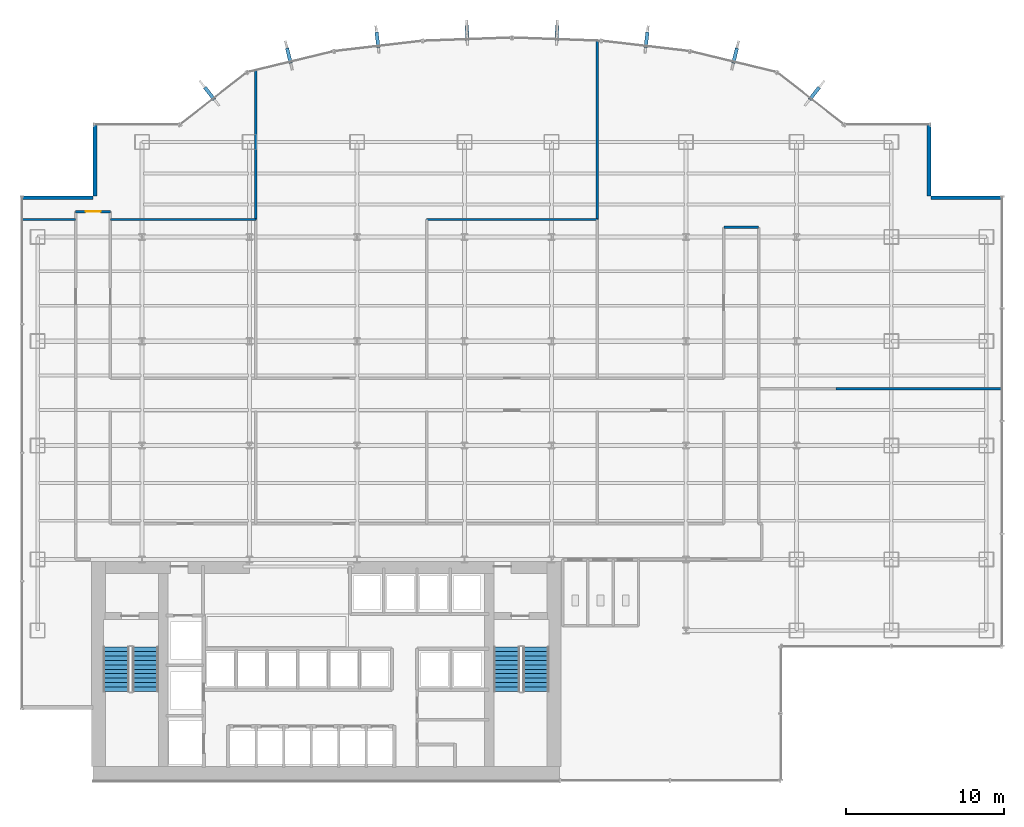
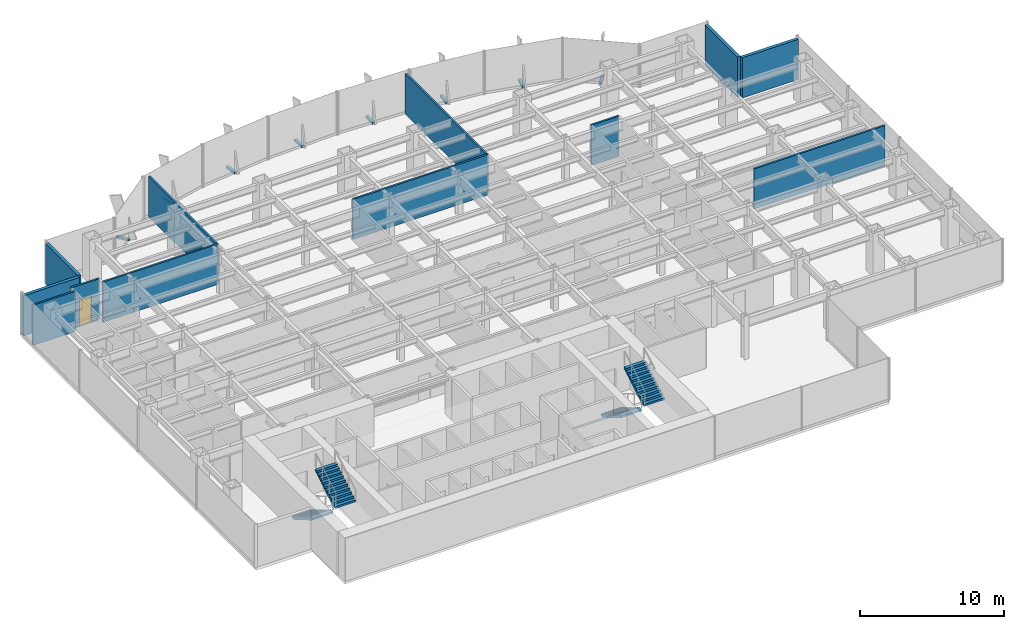
# One storey, part 19 of 22: 12 walls, 8 discrete accessories, 4 stair flights, 1 door, 1 opening, 2 elements without a shape of their own.
"""IFC4 building model written with IfcOpenShell, lengths in metres."""

from ifc_helpers import new_model, si_unit, derived_unit, direction, frame, frame_2d, origin, origin_2d, place, context, subcontext, project, spatial, polyline, rectangle, outline, extrude, source, transform, mapped, material, layer, layer_set, type_object, element, fill, aggregate, save


model = new_model("IFC4")

# Units and contexts
model_context = context("Model", 3, precision=1e-05, world=origin(), true_north=direction((0.0, 1.0)))
body_context = subcontext(model_context, "Body", "Model", "MODEL_VIEW")
ifc_project = project(units=[si_unit("LENGTHUNIT", "METRE"), si_unit("AREAUNIT", "SQUARE_METRE"), si_unit("VOLUMEUNIT", "CUBIC_METRE"), si_unit("PLANEANGLEUNIT", "RADIAN"), si_unit("MASSUNIT", "GRAM", prefix="KILO"), derived_unit("THERMALTRANSMITTANCEUNIT", [(si_unit("POWERUNIT", "WATT"), 1), (si_unit("LENGTHUNIT", "METRE"), -2), (si_unit("THERMODYNAMICTEMPERATUREUNIT", "KELVIN"), -1)])], contexts=[model_context])

# Site, building, storey
site_placement = place(None, origin())
site = spatial("IfcSite", under=ifc_project, at=site_placement, CompositionType="ELEMENT")
building_placement = place(site_placement, origin())
building = spatial("IfcBuilding", under=site, at=building_placement, Name="Skarnbrae Concourse Arena and Tower", CompositionType="ELEMENT")
storey_placement = place(building_placement, frame((0.0, 0.0, 32.5)))
storey = spatial("IfcBuildingStorey", under=building, at=storey_placement, Name="L06", CompositionType="ELEMENT", Elevation=32.5)

# Walls
ifc_material_1 = material(Name="Precast concrete 40 MPa (C40/50)", Category="concrete")
ifc_layer_1 = layer(ifc_material_1, 0.25)
ifc_layer_set_1 = layer_set([ifc_layer_1], Name="Precast concrete 40 MPa (C40/50)")
wall_type_1 = type_object("IfcWallType", Name="WALL-EXT-SPANDREL-250", PredefinedType="STANDARD", material=ifc_layer_set_1)
shared_shape_1 = source(origin(), body_context, "Body", "SweptSolid", [
    extrude(rectangle(XDim=4.5, YDim=0.25, at=frame_2d((2.25, 0.0))), origin(), (0.0, 0.0, 1.0), 3.39990234375),
])
for number, where, z_axis, x_axis, name in (
    (1, (62.0, 36.875, 0.0), (0.0, 0.0, 1.0), (-1.0, 0.0, 0.0), "L06 Notched corner insulated return wall 05"),
    (2, (57.375, 37.0, 0.0), (0.0, 0.0, 1.0), (0.0, 1.0, 0.0), "L06 Notched corner insulated return wall 06"),
    (3, (4.625, 41.5, 0.0), (0.0, 0.0, 1.0), (0.0, -1.0, 0.0), "L06 Notched corner insulated return wall 17"),
    (4, (4.5, 36.875, 0.0), (0.0, 0.0, 1.0), (-1.0, 0.0, 0.0), "L06 Notched corner insulated return wall 18"),
):
    element("IfcWall", number, at=place(storey_placement, frame(where, z_axis=z_axis, x_axis=x_axis)), inside=storey, type_object=wall_type_1, Name=name, PredefinedType="STANDARD", context=body_context, shape_type="MappedRepresentation", body=[
        mapped(shared_shape_1, transform((0.0, 0.0, 0.0))),
    ])

# Wall, opening, door
ifc_material_2 = material(Name="Gypsum board on cold-formed steel studs", Category="steel")
ifc_layer_2 = layer(ifc_material_2, 0.14990234375)
ifc_layer_set_2 = layer_set([ifc_layer_2], Name="Gypsum board on cold-formed steel studs")
wall_type_2 = type_object("IfcWallType", Name="WALL-PART-150-1HR", PredefinedType="PARTITIONING", material=ifc_layer_set_2)
shared_shape_2 = source(origin(), body_context, "Body", "SweptSolid", [
    extrude(rectangle(XDim=2.2001953125, YDim=0.14990234375, at=frame_2d((1.10009765625, 0.0))), origin(), (0.0, 0.0, 1.0), 3.39990234375),
])
wall_1_placement = place(storey_placement, frame((3.39990234375, 36.0, 0.0), z_axis=(0.0, 0.0, 1.0), x_axis=(1.0, 0.0, 0.0)))
wall_1 = element("IfcWall", 5, at=wall_1_placement, inside=storey, type_object=wall_type_2, Name="L06 Interior partition wall W-L06-COR-06", PredefinedType="PARTITIONING", context=body_context, shape_type="MappedRepresentation", body=[
    mapped(shared_shape_2, transform((0.0, 0.0, 0.0))),
])
opening_placement = place(wall_1_placement, frame((0.625, 0.0, 0.0)))
opening = element("IfcOpeningElement", 6, at=opening_placement, cuts=wall_1, Name="Opening DT-04", PredefinedType="OPENING", context=body_context, shape_type="SweptSolid", body=[
    extrude(rectangle(XDim=0.949951171875, YDim=2.14990234375, at=frame_2d((0.47509765625, 1.074951171875))), frame((0.0, 0.0849609375, 0.0), z_axis=(0.0, -1.0, 0.0), x_axis=(1.0, 0.0, 0.0)), (0.0, 0.0, 1.0), 0.169921875),
])
ifc_material_3 = material(Name="Steel CSA G40.21 350W", Category="steel")
door_type = type_object("IfcDoorType", Name="DOOR-INT-950-45M", OperationType="NOTDEFINED", PredefinedType="DOOR", material=ifc_material_3)
shared_shape_3 = source(origin(), body_context, "Body", "SweptSolid", [
    extrude(rectangle(XDim=0.949951171875, YDim=2.14990234375, at=frame_2d((0.47509765625, 1.074951171875))), frame((0.0, 0.02490234375, 0.0), z_axis=(0.0, -1.0, 0.0), x_axis=(1.0, 0.0, 0.0)), (0.0, 0.0, 1.0), 0.050048828125),
])
door_placement = place(opening_placement, origin())
door = element("IfcDoor", 7, at=door_placement, inside=storey, type_object=door_type, Name="D-0347 L06 Suite Door 02", OperationType="SINGLE_SWING_LEFT", OverallHeight=2.14990234375, OverallWidth=0.949951171875, PredefinedType="DOOR", context=body_context, shape_type="MappedRepresentation", body=[
    mapped(shared_shape_3, transform((0.0, 0.0, 0.0))),
])
fill(opening, door)

# Walls
wall_2_placement = place(storey_placement, frame((44.39990234375, 35.0, 0.0), z_axis=(0.0, 0.0, 1.0), x_axis=(1.0, 0.0, 0.0)))
element("IfcWall", 8, at=wall_2_placement, inside=storey, type_object=wall_type_2, Name="L06 Interior partition wall W-L06-COR-10", PredefinedType="PARTITIONING", context=body_context, shape_type="MappedRepresentation", body=[
    mapped(shared_shape_2, transform((0.0, 0.0, 0.0))),
])
ifc_layer_3 = layer(ifc_material_2, 0.14990234375)
ifc_layer_set_3 = layer_set([ifc_layer_3], Name="Gypsum board on cold-formed steel studs")
wall_type_3 = type_object("IfcWallType", Name="WALL-PART-150", PredefinedType="PARTITIONING", material=ifc_layer_set_3)
shared_shape_4 = source(origin(), body_context, "Body", "SweptSolid", [
    extrude(rectangle(XDim=3.3798828125, YDim=0.14990234375, at=frame_2d((1.68994140625, 0.0))), origin(), (0.0, 0.0, 1.0), 3.39990234375),
])
wall_3_placement = place(storey_placement, frame((0.02001953125, 35.5, 0.0), z_axis=(0.0, 0.0, 1.0), x_axis=(1.0, 0.0, 0.0)))
element("IfcWall", 9, at=wall_3_placement, inside=storey, type_object=wall_type_3, Name="L06 Interior partition wall W-L06-DEM-21", PredefinedType="PARTITIONING", context=body_context, shape_type="MappedRepresentation", body=[
    mapped(shared_shape_4, transform((0.0, 0.0, 0.0))),
])
shared_shape_5 = source(origin(), body_context, "Body", "SweptSolid", [
    extrude(rectangle(XDim=9.199951171875, YDim=0.14990234375, at=frame_2d((4.60009765625, 0.0))), origin(), (0.0, 0.0, 1.0), 3.39990234375),
])
wall_4_placement = place(storey_placement, frame((14.800048828125, 35.5, 0.0), z_axis=(0.0, 0.0, 1.0), x_axis=(-1.0, 0.0, 0.0)))
element("IfcWall", 10, at=wall_4_placement, inside=storey, type_object=wall_type_3, Name="L06 Interior partition wall W-L06-DEM-22", PredefinedType="PARTITIONING", context=body_context, shape_type="MappedRepresentation", body=[
    mapped(shared_shape_5, transform((0.0, 0.0, 0.0))),
])
shared_shape_6 = source(origin(), body_context, "Body", "SweptSolid", [
    extrude(rectangle(XDim=9.427978515625, YDim=0.14990234375, at=frame_2d((4.7138671875, 0.0))), origin(), (0.0, 0.0, 1.0), 3.39990234375),
])
wall_5_placement = place(storey_placement, frame((14.800048828125, 44.927978515625, 0.0), z_axis=(0.0, 0.0, 1.0), x_axis=(0.0, -1.0, 0.0)))
element("IfcWall", 11, at=wall_5_placement, inside=storey, type_object=wall_type_3, Name="L06 Interior partition wall W-L06-DEM-25", PredefinedType="PARTITIONING", context=body_context, shape_type="MappedRepresentation", body=[
    mapped(shared_shape_6, transform((0.0, 0.0, 0.0))),
])
shared_shape_7 = source(origin(), body_context, "Body", "SweptSolid", [
    extrude(rectangle(XDim=10.7998046875, YDim=0.14990234375, at=frame_2d((5.39990234375, 0.0))), origin(), (0.0, 0.0, 1.0), 3.39990234375),
])
wall_6_placement = place(storey_placement, frame((36.39990234375, 35.5, 0.0), z_axis=(0.0, 0.0, 1.0), x_axis=(-1.0, 0.0, 0.0)))
element("IfcWall", 12, at=wall_6_placement, inside=storey, type_object=wall_type_3, Name="L06 Interior partition wall W-L06-DEM-27", PredefinedType="PARTITIONING", context=body_context, shape_type="MappedRepresentation", body=[
    mapped(shared_shape_7, transform((0.0, 0.0, 0.0))),
])
shared_shape_8 = source(origin(), body_context, "Body", "SweptSolid", [
    extrude(rectangle(XDim=11.285888671875, YDim=0.14990234375, at=frame_2d((5.64306640625, 0.0))), origin(), (0.0, 0.0, 1.0), 3.39990234375),
])
wall_7_placement = place(storey_placement, frame((36.39990234375, 46.785888671875, 0.0), z_axis=(0.0, 0.0, 1.0), x_axis=(0.0, -1.0, 0.0)))
element("IfcWall", 13, at=wall_7_placement, inside=storey, type_object=wall_type_3, Name="L06 Interior partition wall W-L06-DEM-31", PredefinedType="PARTITIONING", context=body_context, shape_type="MappedRepresentation", body=[
    mapped(shared_shape_8, transform((0.0, 0.0, 0.0))),
])
shared_shape_9 = source(origin(), body_context, "Body", "SweptSolid", [
    extrude(rectangle(XDim=10.47998046875, YDim=0.14990234375, at=frame_2d((5.239990234375, 0.0))), origin(), (0.0, 0.0, 1.0), 3.39990234375),
])
wall_8_placement = place(storey_placement, frame((61.97998046875, 24.800048828125, 0.0), z_axis=(0.0, 0.0, 1.0), x_axis=(-1.0, 0.0, 0.0)))
element("IfcWall", 14, at=wall_8_placement, inside=storey, type_object=wall_type_3, Name="L06 Interior partition wall W-L06-DEM-32", PredefinedType="PARTITIONING", context=body_context, shape_type="MappedRepresentation", body=[
    mapped(shared_shape_9, transform((0.0, 0.0, 0.0))),
])

# Stair, stair flights
ifc_material_4 = material(Name="Concrete 40 MPa (C40/50)", Category="concrete")
stair_type = type_object("IfcStairType", Name="STAIR-DOGLEG-1650", PredefinedType="HALF_TURN_STAIR", material=ifc_material_4)
stair_1_placement = place(storey_placement, origin())
stair_1 = element("IfcStair", 15, at=stair_1_placement, inside=storey, type_object=stair_type, Name="L06 Protected Exit Stair ST-1", PredefinedType="HALF_TURN_STAIR")
stair_flight_type = type_object("IfcStairFlightType", Name="FLIGHT-STRAIGHT-1650", PredefinedType="STRAIGHT", material=ifc_material_4)
shared_shape_10 = source(origin(), body_context, "Body", "SweptSolid", [
    extrude(outline(polyline([(0.0, 0.0), (0.0, 0.166015625), (0.280029296875, 0.166015625), (0.280029296875, 0.331787109375), (0.56005859375, 0.331787109375), (0.56005859375, 0.497802734375), (0.840087890625, 0.497802734375), (0.840087890625, 0.66357421875), (1.1201171875, 0.66357421875), (1.1201171875, 0.82958984375), (1.39990234375, 0.82958984375), (1.39990234375, 0.995361328125), (1.679931640625, 0.995361328125), (1.679931640625, 1.161376953125), (1.9599609375, 1.161376953125), (1.9599609375, 1.327392578125), (2.239990234375, 1.327392578125), (2.239990234375, 1.4931640625), (2.52001953125, 1.4931640625), (2.52001953125, 1.6591796875), (2.800048828125, 1.6591796875), (2.800048828125, 1.824951171875), (2.800048828125, 1.48486328125), (0.2939453125, 0.0), (0.0, 0.0)])), frame((0.0, 0.824951171875, 0.0), z_axis=(0.0, -1.0, 0.0), x_axis=(1.0, 0.0, 0.0)), (0.0, 0.0, 1.0), 1.64990234375),
])
stair_flight_1_placement = place(storey_placement, frame((5.97509765625, 8.449951171875, 0.0), z_axis=(0.0, 0.0, 1.0), x_axis=(0.0, -1.0, 0.0)))
stair_flight_1 = element("IfcStairFlight", 16, at=stair_flight_1_placement, type_object=stair_flight_type, Name="ST-1 flight 1", NumberOfRisers=11, NumberOfTreads=10, PredefinedType="STRAIGHT", RiserHeight=0.165909091, TreadLength=0.28, context=body_context, shape_type="MappedRepresentation", body=[
    mapped(shared_shape_10, transform((0.0, 0.0, 0.0))),
])
stair_flight_2_placement = place(storey_placement, frame((7.824951171875, 5.64990234375, 1.824951171875), z_axis=(0.0, 0.0, 1.0), x_axis=(0.0, 1.0, 0.0)))
stair_flight_2 = element("IfcStairFlight", 17, at=stair_flight_2_placement, type_object=stair_flight_type, Name="ST-1 flight 2", NumberOfRisers=11, NumberOfTreads=10, PredefinedType="STRAIGHT", RiserHeight=0.165909091, TreadLength=0.28, context=body_context, shape_type="MappedRepresentation", body=[
    mapped(shared_shape_10, transform((0.0, 0.0, 0.0))),
])
aggregate(stair_1, [stair_flight_1, stair_flight_2])

stair_2_placement = place(storey_placement, origin())
stair_2 = element("IfcStair", 18, at=stair_2_placement, inside=storey, type_object=stair_type, Name="L06 Protected Exit Stair ST-2", PredefinedType="HALF_TURN_STAIR")
stair_flight_3_placement = place(storey_placement, frame((30.675048828125, 8.449951171875, 0.0), z_axis=(0.0, 0.0, 1.0), x_axis=(0.0, -1.0, 0.0)))
stair_flight_3 = element("IfcStairFlight", 19, at=stair_flight_3_placement, type_object=stair_flight_type, Name="ST-2 flight 1", NumberOfRisers=11, NumberOfTreads=10, PredefinedType="STRAIGHT", RiserHeight=0.165909091, TreadLength=0.28, context=body_context, shape_type="MappedRepresentation", body=[
    mapped(shared_shape_10, transform((0.0, 0.0, 0.0))),
])
stair_flight_4_placement = place(storey_placement, frame((32.52490234375, 5.64990234375, 1.824951171875), z_axis=(0.0, 0.0, 1.0), x_axis=(0.0, 1.0, 0.0)))
stair_flight_4 = element("IfcStairFlight", 20, at=stair_flight_4_placement, type_object=stair_flight_type, Name="ST-2 flight 2", NumberOfRisers=11, NumberOfTreads=10, PredefinedType="STRAIGHT", RiserHeight=0.165909091, TreadLength=0.28, context=body_context, shape_type="MappedRepresentation", body=[
    mapped(shared_shape_10, transform((0.0, 0.0, 0.0))),
])
aggregate(stair_2, [stair_flight_3, stair_flight_4])

# Discrete accessories
ifc_material_5 = material(Name="Bronze anodised aluminium 6063-T6", Category="aluminium")
discrete_accessory_type = type_object("IfcDiscreteAccessoryType", Name="ACC-FIN-BRACKET", PredefinedType="BRACKET", material=ifc_material_5)
shared_shape_11 = source(origin(), body_context, "Body", "SweptSolid", [
    extrude(rectangle(XDim=0.219970703125, YDim=0.97998046875, at=origin_2d()), origin(), (0.0, 0.0, 1.0), 0.179931640625),
])
for number, where, z_axis, x_axis, name in (
    (21, (50.129638671875, 43.470947265625, -0.02978515625), (0.0, 0.0, 1.0), (0.787656027369, -0.616115234797, 0.0), "L06 Bronze fin foot support bracket 08"),
    (22, (45.11328125, 45.864990234375, -0.02978515625), (0.0, 0.0, 1.0), (0.971973311258, -0.235091221021, 0.0), "L06 Bronze fin foot support bracket 09"),
    (23, (39.509521484375, 46.865966796875, -0.02978515625), (0.0, 0.0, 1.0), (0.993243759876, -0.116046686587, 0.0), "L06 Bronze fin foot support bracket 10"),
    (24, (33.84130859375, 47.298095703125, -0.02978515625), (0.0, 0.0, 1.0), (0.999355613141, -0.035893710914, 0.0), "L06 Bronze fin foot support bracket 11"),
    (25, (28.15869140625, 47.298095703125, -0.02978515625), (0.0, 0.0, 1.0), (0.999355613141, 0.035893710914, 0.0), "L06 Bronze fin foot support bracket 12"),
    (26, (22.490478515625, 46.865966796875, -0.02978515625), (0.0, 0.0, 1.0), (0.993243759876, 0.116046686587, 0.0), "L06 Bronze fin foot support bracket 13"),
    (27, (16.88671875, 45.864990234375, -0.02978515625), (0.0, 0.0, 1.0), (0.971973311258, 0.235091221021, 0.0), "L06 Bronze fin foot support bracket 14"),
    (28, (11.870361328125, 43.470947265625, -0.02978515625), (0.0, 0.0, 1.0), (0.787656027369, 0.616115234797, 0.0), "L06 Bronze fin foot support bracket 15"),
):
    element("IfcDiscreteAccessory", number, at=place(storey_placement, frame(where, z_axis=z_axis, x_axis=x_axis)), inside=storey, type_object=discrete_accessory_type, Name=name, PredefinedType="BRACKET", context=body_context, shape_type="MappedRepresentation", body=[
        mapped(shared_shape_11, transform((0.0, 0.0, 0.0))),
    ])

save(model, "model.ifc")
